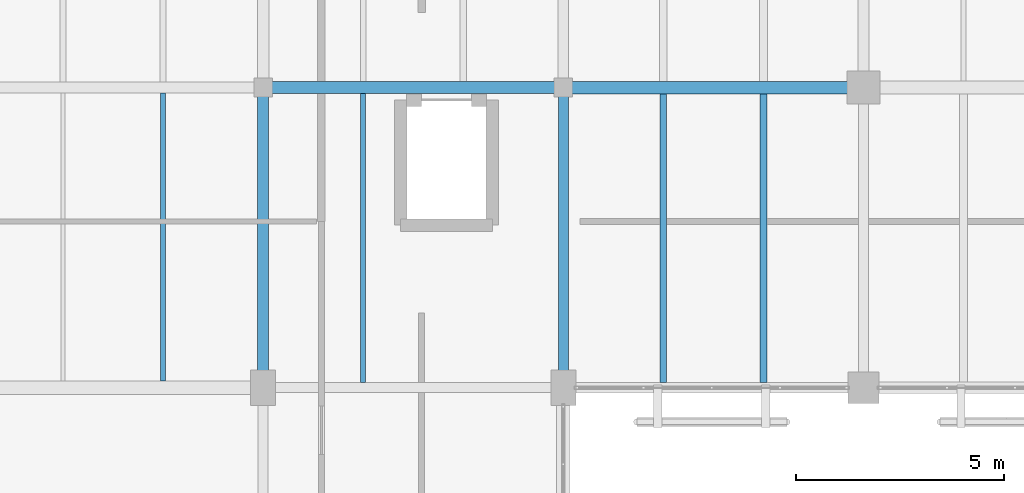
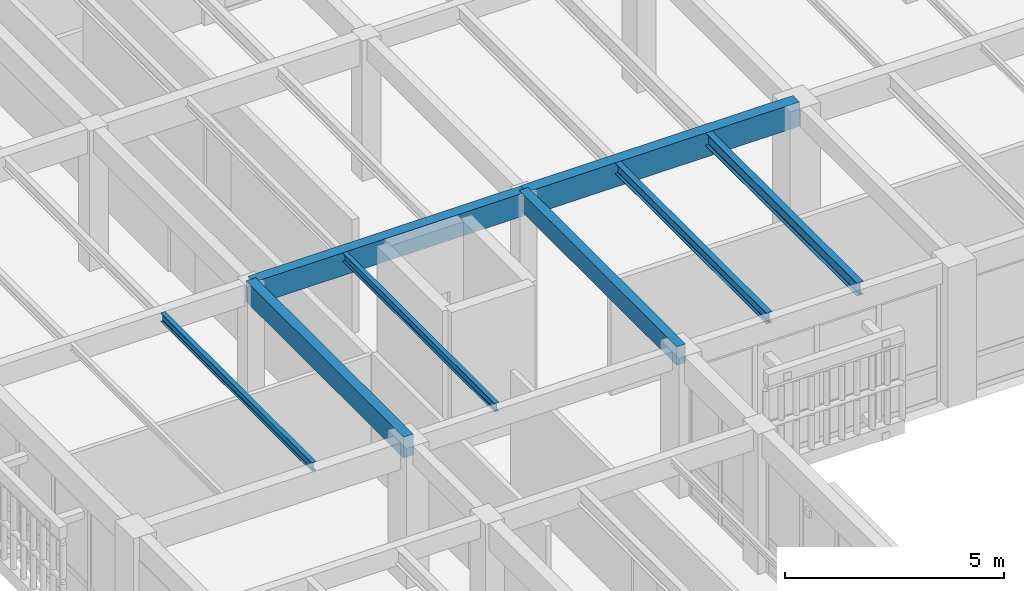
# One storey, part 107 of 170: 8 beams.
"""IFC4 building model written with IfcOpenShell, lengths in metres."""

import ifcopenshell
import ifcopenshell.guid

model = None  # the IFC model being written
_history = None  # IfcOwnerHistory: only IFC2X3 demands one
_inside = {}  # id of a spatial element -> (the spatial element, [elements in it])
_under = {}  # id of a project, library or spatial element -> (it, [spatial elements below it])
_declared = {}  # id of a project -> (the project, [libraries it declares])
_typed = {}  # id of a type object -> (the type object, [elements of that type])
_made_of = {}  # id of a material, layer set ... -> (it, [elements and type objects made of it])


def new_model(schema):
    """Start an empty IFC model of exactly this schema.

    Asked for "IFC4X3", IfcOpenShell would pick the latest addendum, in which some entities
    have other attributes; the version numbers below select the first issue.
    IFC2X3 requires an IfcOwnerHistory on every rooted entity: one is made here for all.
    """
    global model, _history
    if schema == "IFC4X3":
        model = ifcopenshell.file(schema_version=(4, 3, 0, 0))
    else:
        model = ifcopenshell.file(schema=schema)
    _inside.clear()
    _under.clear()
    _declared.clear()
    _typed.clear()
    _made_of.clear()
    _history = None
    if model.schema == "IFC2X3":
        org = make("IfcOrganization", Name="unknown")
        user = make(
            "IfcPersonAndOrganization",
            ThePerson=make("IfcPerson", FamilyName="unknown"),
            TheOrganization=org,
        )
        app = make(
            "IfcApplication",
            ApplicationDeveloper=org,
            Version="unknown",
            ApplicationFullName="unknown",
            ApplicationIdentifier="unknown",
        )
        _history = make(
            "IfcOwnerHistory",
            OwningUser=user,
            OwningApplication=app,
            ChangeAction="ADDED",
            CreationDate=0,
        )
    return model


def make(cls, **values):
    """One entity of the class cls with the attributes given. An attribute that is None is left unset."""
    return model.create_entity(
        cls, **{name: value for name, value in values.items() if value is not None}
    )


def rooted(cls, **values):
    """An entity with a GlobalId (a new one), such as an element, a storey or a relation."""
    return make(cls, GlobalId=ifcopenshell.guid.new(), OwnerHistory=_history, **values)


def si_unit(unit_type, name, prefix=None):
    """IfcSIUnit, for example si_unit("LENGTHUNIT", "METRE", prefix="MILLI")."""
    return make("IfcSIUnit", UnitType=unit_type, Prefix=prefix, Name=name)


def assignment(units):
    """IfcUnitAssignment: the units of a project."""
    return None if units is None else make("IfcUnitAssignment", Units=units)


def point(xyz):
    """IfcCartesianPoint."""
    return None if xyz is None else make("IfcCartesianPoint", Coordinates=xyz)


def direction(xyz):
    """IfcDirection."""
    return None if xyz is None else make("IfcDirection", DirectionRatios=xyz)


def frame(location, z_axis=None, x_axis=None):
    """IfcAxis2Placement3D, a coordinate frame: its origin and axes. An axis left out is left unset."""
    return make(
        "IfcAxis2Placement3D",
        Location=point(location),
        Axis=direction(z_axis),
        RefDirection=direction(x_axis),
    )


def frame_2d(location, x_axis=None):
    """IfcAxis2Placement2D, a coordinate frame in the plane: its origin and x axis."""
    return make(
        "IfcAxis2Placement2D", Location=point(location), RefDirection=direction(x_axis)
    )


def origin():
    """The frame at (0, 0, 0) with its axes left unset."""
    return frame((0.0, 0.0, 0.0))


def origin_2d():
    """The frame at (0, 0) in the plane with its x axis left unset."""
    return frame_2d((0.0, 0.0))


def place(relative_to, where):
    """IfcLocalPlacement: puts the frame where relative to a parent placement (None: the world)."""
    return make(
        "IfcLocalPlacement", PlacementRelTo=relative_to, RelativePlacement=where
    )


def context(
    kind, dimensions, precision=None, world=None, true_north=None, identifier=None
):
    """IfcGeometricRepresentationContext, for example the 3D "Model" context."""
    return make(
        "IfcGeometricRepresentationContext",
        ContextIdentifier=identifier,
        ContextType=kind,
        CoordinateSpaceDimension=dimensions,
        Precision=precision,
        WorldCoordinateSystem=world,
        TrueNorth=true_north,
    )


def subcontext(parent, identifier, kind, view, scale=None):
    """IfcGeometricRepresentationSubContext, for example "Body" below "Model"."""
    return make(
        "IfcGeometricRepresentationSubContext",
        ContextIdentifier=identifier,
        ContextType=kind,
        ParentContext=parent,
        TargetScale=scale,
        TargetView=view,
    )


def project(units=None, contexts=None):
    """IfcProject with its units and contexts."""
    return rooted(
        "IfcProject",
        Name="project",
        RepresentationContexts=contexts,
        UnitsInContext=assignment(units),
    )


def spatial(cls, under=None, at=None, **own):
    """A site, building, storey or space (cls), placed at a placement, below another one or the project."""
    s = rooted(cls, ObjectPlacement=at, **own)
    if under is not None:
        _under.setdefault(under.id(), (under, []))[1].append(s)
    return s


def profile(cls, at=None, kind="AREA", **sizes):
    """A parametric profile (cls). Its sizes go by their IFC names, for example OverallWidth=200.0."""
    return make(cls, ProfileType=kind, Position=at, **sizes)


def rectangle(**sizes):
    """IfcRectangleProfileDef."""
    return profile("IfcRectangleProfileDef", **sizes)


def i_section(**sizes):
    """IfcIShapeProfileDef."""
    return profile("IfcIShapeProfileDef", **sizes)


def extrude(swept, where, along, depth):
    """IfcExtrudedAreaSolid: the profile swept, set in the frame where, extruded along a direction by depth."""
    return make(
        "IfcExtrudedAreaSolid",
        SweptArea=swept,
        Position=where,
        ExtrudedDirection=direction(along),
        Depth=depth,
    )


def shape(context_of_items, identifier, shape_type, items):
    """IfcShapeRepresentation: the items that make up one representation, for example the "Body"."""
    return make(
        "IfcShapeRepresentation",
        ContextOfItems=context_of_items,
        RepresentationIdentifier=identifier,
        RepresentationType=shape_type,
        Items=items,
    )


def material(Name=None, Category=None):
    """IfcMaterial."""
    return make("IfcMaterial", Name=Name, Category=Category)


def material_profile(
    of_material, cross_section, Name=None, Category=None, Priority=None
):
    """IfcMaterialProfile: a cross section and its material."""
    return make(
        "IfcMaterialProfile",
        Name=Name,
        Material=of_material,
        Profile=cross_section,
        Priority=Priority,
        Category=Category,
    )


def profile_set(profiles, Name=None, composite=None):
    """IfcMaterialProfileSet."""
    return make(
        "IfcMaterialProfileSet",
        Name=Name,
        MaterialProfiles=profiles,
        CompositeProfile=composite,
    )


def made_of(thing, what):
    """Note that an element or type object is made of a material, layer set ...; save() writes the relation."""
    if what is not None:
        _made_of.setdefault(what.id(), (what, []))[1].append(thing)
    return thing


def type_object(cls, material=None, **own):
    """A type object (cls), such as IfcWallType, which elements share."""
    return made_of(rooted(cls, **own), material)


def element(
    cls,
    number,
    at=None,
    inside=None,
    cuts=None,
    type_object=None,
    material=None,
    context=None,
    identifier="Body",
    shape_type=None,
    held_by="IfcProductDefinitionShape",
    body=None,
    shapes=None,
    **own,
):
    """One element of the class cls, such as IfcWall. Its Tag is "e" and its number.

    at: its placement. inside: the storey or other place that contains it. cuts: it is an
    opening in that element (IfcRelVoidsElement). A single representation is given by context,
    identifier, shape_type and body (its items); several are given by shapes. held_by: the class
    of the entity that holds the representations. save() writes the other relations.
    """
    e = rooted(cls, Tag="e%d" % number, ObjectPlacement=at, **own)
    if body is not None:
        shapes = [shape(context, identifier, shape_type, body)]
    if shapes is not None:
        e.Representation = make(held_by, Representations=shapes)
    if inside is not None:
        _inside.setdefault(inside.id(), (inside, []))[1].append(e)
    if cuts is not None:
        rooted(
            "IfcRelVoidsElement", RelatingBuildingElement=cuts, RelatedOpeningElement=e
        )
    if type_object is not None:
        _typed.setdefault(type_object.id(), (type_object, []))[1].append(e)
    return made_of(e, material)


def aggregate(whole, parts):
    """IfcRelAggregates: a whole, such as a stair, and the parts it consists of."""
    return rooted("IfcRelAggregates", RelatingObject=whole, RelatedObjects=parts)


def save(model, path):
    """Write the relations noted so far, then the file.

    IfcRelAggregates (storeys below a building ...), IfcRelContainedInSpatialStructure (elements
    in a storey), IfcRelDefinesByType, IfcRelAssociatesMaterial and IfcRelDeclares: one each for
    every whole, place, type object, material and project.
    """
    for whole, parts in _under.values():
        aggregate(whole, parts)
    for where, things in _inside.values():
        rooted(
            "IfcRelContainedInSpatialStructure",
            RelatedElements=things,
            RelatingStructure=where,
        )
    for kind, things in _typed.values():
        rooted("IfcRelDefinesByType", RelatedObjects=things, RelatingType=kind)
    for what, things in _made_of.values():
        rooted("IfcRelAssociatesMaterial", RelatedObjects=things, RelatingMaterial=what)
    for by, libraries in _declared.values():
        rooted("IfcRelDeclares", RelatingContext=by, RelatedDefinitions=libraries)
    model.write(path)


model = new_model("IFC4")

# Units and contexts
model_context = context("Model", 3, precision=1e-05, world=origin(), true_north=direction((0.0, 1.0)))
body_context = subcontext(model_context, "Body", "Model", "MODEL_VIEW")
ifc_project = project(units=[si_unit("LENGTHUNIT", "METRE"), si_unit("AREAUNIT", "SQUARE_METRE"), si_unit("VOLUMEUNIT", "CUBIC_METRE"), si_unit("PLANEANGLEUNIT", "RADIAN"), si_unit("MASSUNIT", "GRAM", prefix="KILO")], contexts=[model_context])

# Site, building, storey
site_placement = place(None, origin())
site = spatial("IfcSite", under=ifc_project, at=site_placement, CompositionType="ELEMENT")
building_placement = place(site_placement, origin())
building = spatial("IfcBuilding", under=site, at=building_placement, Name="Mazaris Harbour Polytechnic", CompositionType="ELEMENT")
storey_placement = place(building_placement, frame((0.0, 0.0, 5.39990234375)))
storey = spatial("IfcBuildingStorey", under=building, at=storey_placement, Name="L01", CompositionType="ELEMENT", Elevation=5.39990234375)

# Beams
ifc_material_1 = material(Name="Glulam GL32h", Category="wood")
ifc_material_profile_1 = material_profile(ifc_material_1, rectangle(XDim=0.239990234375, YDim=0.52001953125, at=origin_2d()), Name="RECT240x520")
ifc_profile_set_1 = profile_set([ifc_material_profile_1], Name="Glulam GL32h")
beam_type_1 = type_object("IfcBeamType", Name="Glulam Girder 240x520", PredefinedType="BEAM", material=ifc_profile_set_1)
beam_1_placement = place(storey_placement, frame((136.800048828125, 86.39990234375, 3.66015625), z_axis=(0.0, 1.0, 0.0), x_axis=(-1.0, 0.0, 0.0)))
element("IfcBeam", 1, at=beam_1_placement, inside=storey, type_object=beam_type_1, Name="V5 L01 Tie Girder 2990", PredefinedType="BEAM", context=body_context, shape_type="SweptSolid", body=[
    extrude(rectangle(XDim=0.239990234375, YDim=0.52001953125, at=origin_2d()), origin(), (0.0, 0.0, 1.0), 7.2001953125),
])
ifc_material_2 = material(Name="Glulam GL32h", Category="wood")
ifc_material_profile_2 = material_profile(ifc_material_2, rectangle(XDim=0.260009765625, YDim=0.580078125, at=origin_2d()), Name="RECT260x580")
ifc_profile_set_2 = profile_set([ifc_material_profile_2], Name="Glulam GL32h")
beam_type_2 = type_object("IfcBeamType", Name="Glulam Girder 260x580", PredefinedType="BEAM", material=ifc_profile_set_2)
beam_2_placement = place(storey_placement, frame((129.60009765625, 86.39990234375, 3.630126953125), z_axis=(0.0, 1.0, 0.0), x_axis=(-1.0, 0.0, 0.0)))
element("IfcBeam", 2, at=beam_2_placement, inside=storey, type_object=beam_type_2, Name="V5 L01 Tie Girder 2981", PredefinedType="BEAM", context=body_context, shape_type="SweptSolid", body=[
    extrude(rectangle(XDim=0.260009765625, YDim=0.580078125, at=origin_2d()), origin(), (0.0, 0.0, 1.0), 7.2001953125),
])
ifc_material_3 = material(Name="Glulam GL32h", Category="wood")
ifc_material_profile_3 = material_profile(ifc_material_3, rectangle(XDim=0.280029296875, YDim=0.639892578125, at=origin_2d()), Name="RECT280x640")
ifc_profile_set_3 = profile_set([ifc_material_profile_3], Name="Glulam GL32h")
beam_type_3 = type_object("IfcBeamType", Name="Glulam Girder 280x640", PredefinedType="BEAM", material=ifc_profile_set_3)
beam_3_placement = place(storey_placement, frame((129.60009765625, 93.60009765625, 3.60009765625), z_axis=(1.0, 0.0, 0.0), x_axis=(0.0, 1.0, 0.0)))
element("IfcBeam", 3, at=beam_3_placement, inside=storey, type_object=beam_type_3, Name="V5 L01 Girder 2947", PredefinedType="BEAM", context=body_context, shape_type="SweptSolid", body=[
    extrude(rectangle(XDim=0.280029296875, YDim=0.639892578125, at=origin_2d()), origin(), (0.0, 0.0, 1.0), 7.199951171875),
])
ifc_material_4 = material(Name="Glulam GL32h", Category="wood")
ifc_material_profile_4 = material_profile(ifc_material_4, rectangle(XDim=0.300048828125, YDim=0.679931640625, at=origin_2d()), Name="RECT300x680")
ifc_profile_set_4 = profile_set([ifc_material_profile_4], Name="Glulam GL32h")
beam_type_4 = type_object("IfcBeamType", Name="Glulam Girder 300x680", PredefinedType="BEAM", material=ifc_profile_set_4)
beam_4_placement = place(storey_placement, frame((136.800048828125, 93.60009765625, 3.580078125), z_axis=(1.0, 0.0, 0.0), x_axis=(0.0, 1.0, 0.0)))
element("IfcBeam", 4, at=beam_4_placement, inside=storey, type_object=beam_type_4, Name="V5 L01 Girder 2948", PredefinedType="BEAM", context=body_context, shape_type="SweptSolid", body=[
    extrude(rectangle(XDim=0.300048828125, YDim=0.679931640625, at=origin_2d()), origin(), (0.0, 0.0, 1.0), 7.199951171875),
])
ifc_material_5 = material(Name="Steel S355", Category="steel")
ifc_material_profile_5 = material_profile(ifc_material_5, i_section(OverallWidth=0.1201171875, OverallDepth=0.239990234375, WebThickness=0.006103515625, FlangeThickness=0.009765625, FilletRadius=0.014892578125, at=origin_2d()), Name="IPE 240")
ifc_profile_set_5 = profile_set([ifc_material_profile_5], Name="Steel S355")
beam_type_5 = type_object("IfcBeamType", Name="Steel Joist IPE240", PredefinedType="JOIST", material=ifc_profile_set_5)
beam_5_placement = place(storey_placement, frame((127.199951171875, 86.56005859375, 3.800048828125), z_axis=(0.0, 1.0, 0.0), x_axis=(-1.0, 0.0, 0.0)))
element("IfcBeam", 5, at=beam_5_placement, inside=storey, type_object=beam_type_5, Name="V5 L01 Floor Joist 3039", PredefinedType="JOIST", context=body_context, shape_type="SweptSolid", body=[
    extrude(i_section(OverallWidth=0.1201171875, OverallDepth=0.239990234375, WebThickness=0.006103515625, FlangeThickness=0.009765625, FilletRadius=0.014892578125, at=origin_2d()), origin(), (0.0, 0.0, 1.0), 6.909912109375),
])
beam_6_placement = place(storey_placement, frame((132.0, 86.52001953125, 3.800048828125), z_axis=(0.0, 1.0, 0.0), x_axis=(-1.0, 0.0, 0.0)))
element("IfcBeam", 6, at=beam_6_placement, inside=storey, type_object=beam_type_5, Name="V5 L01 Floor Joist 3053", PredefinedType="JOIST", context=body_context, shape_type="SweptSolid", body=[
    extrude(i_section(OverallWidth=0.1201171875, OverallDepth=0.239990234375, WebThickness=0.006103515625, FlangeThickness=0.009765625, FilletRadius=0.014892578125, at=origin_2d()), origin(), (0.0, 0.0, 1.0), 6.93994140625),
])
ifc_material_6 = material(Name="Steel S355", Category="steel")
ifc_material_profile_6 = material_profile(ifc_material_6, i_section(OverallWidth=0.14990234375, OverallDepth=0.300048828125, WebThickness=0.007080078125, FlangeThickness=0.0107421875, FilletRadius=0.014892578125, at=origin_2d()), Name="IPE 300")
ifc_profile_set_6 = profile_set([ifc_material_profile_6], Name="Steel S355")
beam_type_6 = type_object("IfcBeamType", Name="Steel Joist IPE300", PredefinedType="JOIST", material=ifc_profile_set_6)
beam_7_placement = place(storey_placement, frame((139.199951171875, 86.530029296875, 3.77001953125), z_axis=(0.0, 1.0, 0.0), x_axis=(-1.0, 0.0, 0.0)))
element("IfcBeam", 7, at=beam_7_placement, inside=storey, type_object=beam_type_6, Name="V5 L01 Floor Joist 3062", PredefinedType="JOIST", context=body_context, shape_type="SweptSolid", body=[
    extrude(i_section(OverallWidth=0.14990234375, OverallDepth=0.300048828125, WebThickness=0.007080078125, FlangeThickness=0.0107421875, FilletRadius=0.014892578125, at=origin_2d()), origin(), (0.0, 0.0, 1.0), 6.919921875),
])
ifc_material_7 = material(Name="Steel S355", Category="steel")
ifc_material_profile_7 = material_profile(ifc_material_7, i_section(OverallWidth=0.169921875, OverallDepth=0.360107421875, WebThickness=0.008056640625, FlangeThickness=0.0126953125, FilletRadius=0.01806640625, at=origin_2d()), Name="IPE 360")
ifc_profile_set_7 = profile_set([ifc_material_profile_7], Name="Steel S355")
beam_type_7 = type_object("IfcBeamType", Name="Steel Joist IPE360", PredefinedType="JOIST", material=ifc_profile_set_7)
beam_8_placement = place(storey_placement, frame((141.60009765625, 86.530029296875, 3.739990234375), z_axis=(0.0, 1.0, 0.0), x_axis=(-1.0, 0.0, 0.0)))
element("IfcBeam", 8, at=beam_8_placement, inside=storey, type_object=beam_type_7, Name="V5 L01 Floor Joist 3063", PredefinedType="JOIST", context=body_context, shape_type="SweptSolid", body=[
    extrude(i_section(OverallWidth=0.169921875, OverallDepth=0.360107421875, WebThickness=0.008056640625, FlangeThickness=0.0126953125, FilletRadius=0.01806640625, at=origin_2d()), origin(), (0.0, 0.0, 1.0), 6.919921875),
])

save(model, "model.ifc")
